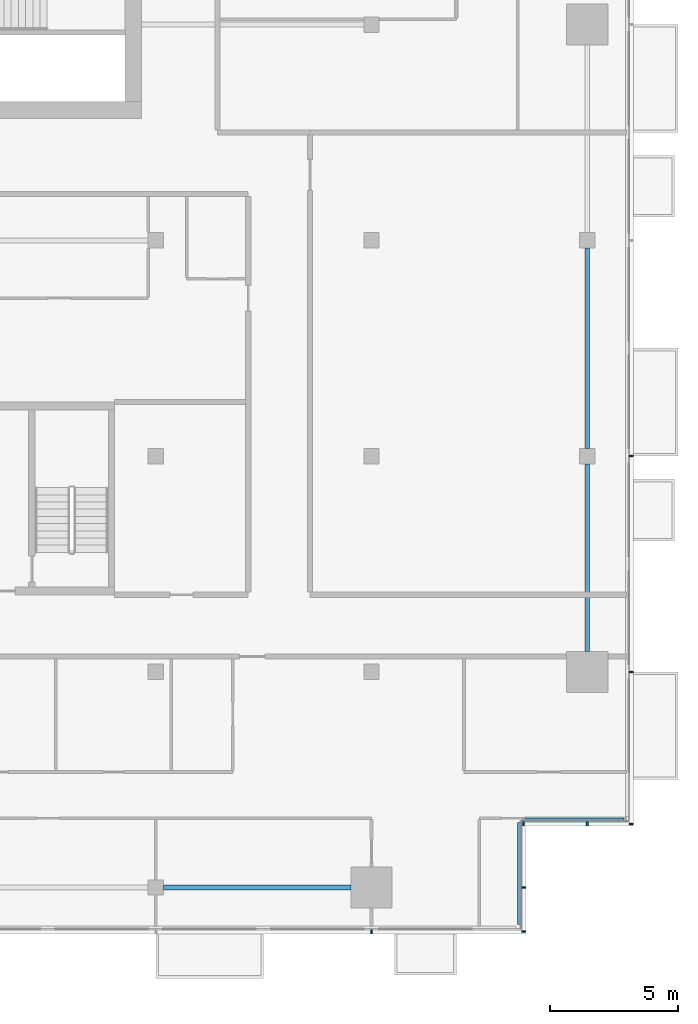
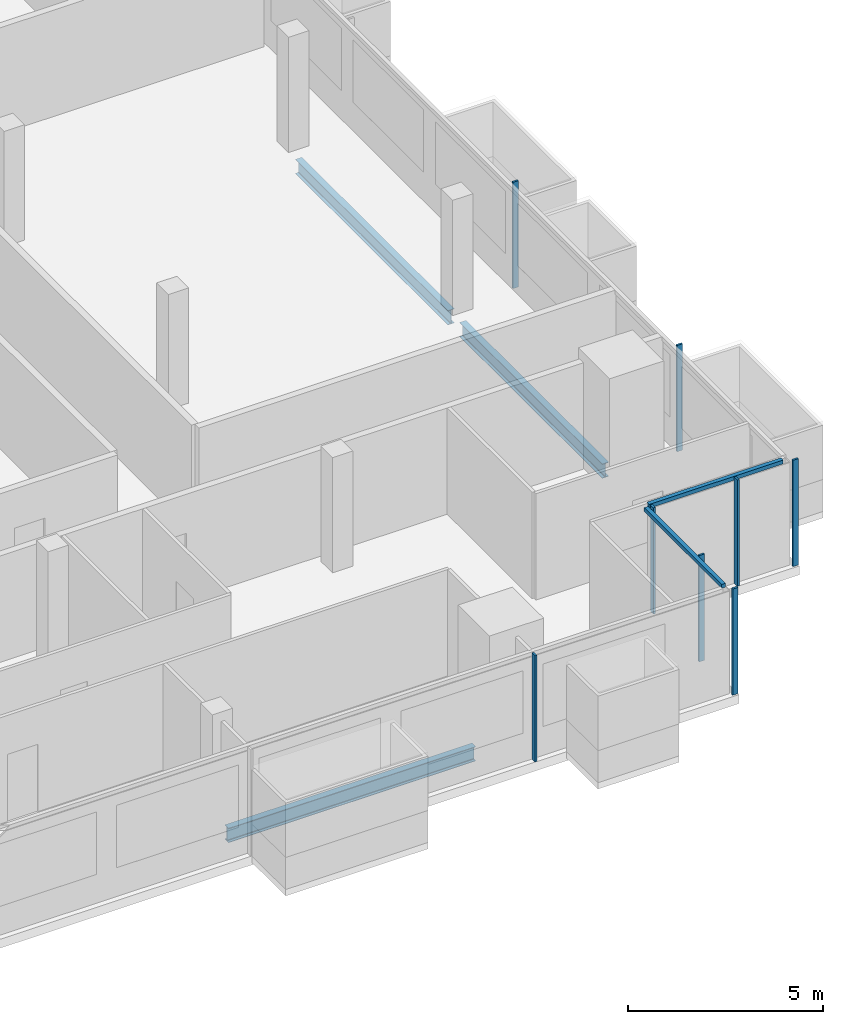
# One storey, part 11 of 27: 10 members, 3 beams, 4 elements without a shape of their own.
"""IFC4 building model written with IfcOpenShell, lengths in metres."""

import ifcopenshell
import ifcopenshell.guid

model = None  # the IFC model being written
_history = None  # IfcOwnerHistory: only IFC2X3 demands one
_inside = {}  # id of a spatial element -> (the spatial element, [elements in it])
_under = {}  # id of a project, library or spatial element -> (it, [spatial elements below it])
_declared = {}  # id of a project -> (the project, [libraries it declares])
_typed = {}  # id of a type object -> (the type object, [elements of that type])
_made_of = {}  # id of a material, layer set ... -> (it, [elements and type objects made of it])


def new_model(schema):
    """Start an empty IFC model of exactly this schema.

    Asked for "IFC4X3", IfcOpenShell would pick the latest addendum, in which some entities
    have other attributes; the version numbers below select the first issue.
    IFC2X3 requires an IfcOwnerHistory on every rooted entity: one is made here for all.
    """
    global model, _history
    if schema == "IFC4X3":
        model = ifcopenshell.file(schema_version=(4, 3, 0, 0))
    else:
        model = ifcopenshell.file(schema=schema)
    _inside.clear()
    _under.clear()
    _declared.clear()
    _typed.clear()
    _made_of.clear()
    _history = None
    if model.schema == "IFC2X3":
        org = make("IfcOrganization", Name="unknown")
        user = make(
            "IfcPersonAndOrganization",
            ThePerson=make("IfcPerson", FamilyName="unknown"),
            TheOrganization=org,
        )
        app = make(
            "IfcApplication",
            ApplicationDeveloper=org,
            Version="unknown",
            ApplicationFullName="unknown",
            ApplicationIdentifier="unknown",
        )
        _history = make(
            "IfcOwnerHistory",
            OwningUser=user,
            OwningApplication=app,
            ChangeAction="ADDED",
            CreationDate=0,
        )
    return model


def make(cls, **values):
    """One entity of the class cls with the attributes given. An attribute that is None is left unset."""
    return model.create_entity(
        cls, **{name: value for name, value in values.items() if value is not None}
    )


def rooted(cls, **values):
    """An entity with a GlobalId (a new one), such as an element, a storey or a relation."""
    return make(cls, GlobalId=ifcopenshell.guid.new(), OwnerHistory=_history, **values)


def si_unit(unit_type, name, prefix=None):
    """IfcSIUnit, for example si_unit("LENGTHUNIT", "METRE", prefix="MILLI")."""
    return make("IfcSIUnit", UnitType=unit_type, Prefix=prefix, Name=name)


def assignment(units):
    """IfcUnitAssignment: the units of a project."""
    return None if units is None else make("IfcUnitAssignment", Units=units)


def point(xyz):
    """IfcCartesianPoint."""
    return None if xyz is None else make("IfcCartesianPoint", Coordinates=xyz)


def direction(xyz):
    """IfcDirection."""
    return None if xyz is None else make("IfcDirection", DirectionRatios=xyz)


def frame(location, z_axis=None, x_axis=None):
    """IfcAxis2Placement3D, a coordinate frame: its origin and axes. An axis left out is left unset."""
    return make(
        "IfcAxis2Placement3D",
        Location=point(location),
        Axis=direction(z_axis),
        RefDirection=direction(x_axis),
    )


def frame_2d(location, x_axis=None):
    """IfcAxis2Placement2D, a coordinate frame in the plane: its origin and x axis."""
    return make(
        "IfcAxis2Placement2D", Location=point(location), RefDirection=direction(x_axis)
    )


def origin():
    """The frame at (0, 0, 0) with its axes left unset."""
    return frame((0.0, 0.0, 0.0))


def origin_2d():
    """The frame at (0, 0) in the plane with its x axis left unset."""
    return frame_2d((0.0, 0.0))


def place(relative_to, where):
    """IfcLocalPlacement: puts the frame where relative to a parent placement (None: the world)."""
    return make(
        "IfcLocalPlacement", PlacementRelTo=relative_to, RelativePlacement=where
    )


def context(
    kind, dimensions, precision=None, world=None, true_north=None, identifier=None
):
    """IfcGeometricRepresentationContext, for example the 3D "Model" context."""
    return make(
        "IfcGeometricRepresentationContext",
        ContextIdentifier=identifier,
        ContextType=kind,
        CoordinateSpaceDimension=dimensions,
        Precision=precision,
        WorldCoordinateSystem=world,
        TrueNorth=true_north,
    )


def subcontext(parent, identifier, kind, view, scale=None):
    """IfcGeometricRepresentationSubContext, for example "Body" below "Model"."""
    return make(
        "IfcGeometricRepresentationSubContext",
        ContextIdentifier=identifier,
        ContextType=kind,
        ParentContext=parent,
        TargetScale=scale,
        TargetView=view,
    )


def project(units=None, contexts=None):
    """IfcProject with its units and contexts."""
    return rooted(
        "IfcProject",
        Name="project",
        RepresentationContexts=contexts,
        UnitsInContext=assignment(units),
    )


def spatial(cls, under=None, at=None, **own):
    """A site, building, storey or space (cls), placed at a placement, below another one or the project."""
    s = rooted(cls, ObjectPlacement=at, **own)
    if under is not None:
        _under.setdefault(under.id(), (under, []))[1].append(s)
    return s


def profile(cls, at=None, kind="AREA", **sizes):
    """A parametric profile (cls). Its sizes go by their IFC names, for example OverallWidth=200.0."""
    return make(cls, ProfileType=kind, Position=at, **sizes)


def rectangle(**sizes):
    """IfcRectangleProfileDef."""
    return profile("IfcRectangleProfileDef", **sizes)


def i_section(**sizes):
    """IfcIShapeProfileDef."""
    return profile("IfcIShapeProfileDef", **sizes)


def extrude(swept, where, along, depth):
    """IfcExtrudedAreaSolid: the profile swept, set in the frame where, extruded along a direction by depth."""
    return make(
        "IfcExtrudedAreaSolid",
        SweptArea=swept,
        Position=where,
        ExtrudedDirection=direction(along),
        Depth=depth,
    )


def shape(context_of_items, identifier, shape_type, items):
    """IfcShapeRepresentation: the items that make up one representation, for example the "Body"."""
    return make(
        "IfcShapeRepresentation",
        ContextOfItems=context_of_items,
        RepresentationIdentifier=identifier,
        RepresentationType=shape_type,
        Items=items,
    )


def material(Name=None, Category=None):
    """IfcMaterial."""
    return make("IfcMaterial", Name=Name, Category=Category)


def material_profile(
    of_material, cross_section, Name=None, Category=None, Priority=None
):
    """IfcMaterialProfile: a cross section and its material."""
    return make(
        "IfcMaterialProfile",
        Name=Name,
        Material=of_material,
        Profile=cross_section,
        Priority=Priority,
        Category=Category,
    )


def profile_set(profiles, Name=None, composite=None):
    """IfcMaterialProfileSet."""
    return make(
        "IfcMaterialProfileSet",
        Name=Name,
        MaterialProfiles=profiles,
        CompositeProfile=composite,
    )


def made_of(thing, what):
    """Note that an element or type object is made of a material, layer set ...; save() writes the relation."""
    if what is not None:
        _made_of.setdefault(what.id(), (what, []))[1].append(thing)
    return thing


def type_object(cls, material=None, **own):
    """A type object (cls), such as IfcWallType, which elements share."""
    return made_of(rooted(cls, **own), material)


def element(
    cls,
    number,
    at=None,
    inside=None,
    cuts=None,
    type_object=None,
    material=None,
    context=None,
    identifier="Body",
    shape_type=None,
    held_by="IfcProductDefinitionShape",
    body=None,
    shapes=None,
    **own,
):
    """One element of the class cls, such as IfcWall. Its Tag is "e" and its number.

    at: its placement. inside: the storey or other place that contains it. cuts: it is an
    opening in that element (IfcRelVoidsElement). A single representation is given by context,
    identifier, shape_type and body (its items); several are given by shapes. held_by: the class
    of the entity that holds the representations. save() writes the other relations.
    """
    e = rooted(cls, Tag="e%d" % number, ObjectPlacement=at, **own)
    if body is not None:
        shapes = [shape(context, identifier, shape_type, body)]
    if shapes is not None:
        e.Representation = make(held_by, Representations=shapes)
    if inside is not None:
        _inside.setdefault(inside.id(), (inside, []))[1].append(e)
    if cuts is not None:
        rooted(
            "IfcRelVoidsElement", RelatingBuildingElement=cuts, RelatedOpeningElement=e
        )
    if type_object is not None:
        _typed.setdefault(type_object.id(), (type_object, []))[1].append(e)
    return made_of(e, material)


def aggregate(whole, parts):
    """IfcRelAggregates: a whole, such as a stair, and the parts it consists of."""
    return rooted("IfcRelAggregates", RelatingObject=whole, RelatedObjects=parts)


def save(model, path):
    """Write the relations noted so far, then the file.

    IfcRelAggregates (storeys below a building ...), IfcRelContainedInSpatialStructure (elements
    in a storey), IfcRelDefinesByType, IfcRelAssociatesMaterial and IfcRelDeclares: one each for
    every whole, place, type object, material and project.
    """
    for whole, parts in _under.values():
        aggregate(whole, parts)
    for where, things in _inside.values():
        rooted(
            "IfcRelContainedInSpatialStructure",
            RelatedElements=things,
            RelatingStructure=where,
        )
    for kind, things in _typed.values():
        rooted("IfcRelDefinesByType", RelatedObjects=things, RelatingType=kind)
    for what, things in _made_of.values():
        rooted("IfcRelAssociatesMaterial", RelatedObjects=things, RelatingMaterial=what)
    for by, libraries in _declared.values():
        rooted("IfcRelDeclares", RelatingContext=by, RelatedDefinitions=libraries)
    model.write(path)


model = new_model("IFC4")

# Units and contexts
model_context = context("Model", 3, precision=1e-05, world=origin(), true_north=direction((0.0, 1.0)))
body_context = subcontext(model_context, "Body", "Model", "MODEL_VIEW")
ifc_project = project(units=[si_unit("LENGTHUNIT", "METRE"), si_unit("AREAUNIT", "SQUARE_METRE"), si_unit("VOLUMEUNIT", "CUBIC_METRE"), si_unit("PLANEANGLEUNIT", "RADIAN"), si_unit("MASSUNIT", "GRAM", prefix="KILO")], contexts=[model_context])

# Site, building, storey
site_placement = place(None, origin())
site = spatial("IfcSite", under=ifc_project, at=site_placement, CompositionType="ELEMENT")
building_placement = place(site_placement, origin())
building = spatial("IfcBuilding", under=site, at=building_placement, Name="Saffron Gate Tower", CompositionType="ELEMENT")
storey_placement = place(building_placement, frame((0.0, 0.0, 209.10009765625)))
storey = spatial("IfcBuildingStorey", under=building, at=storey_placement, Name="L50", CompositionType="ELEMENT", Elevation=209.10009765625)

# Beams
ifc_material_1 = material(Name="Structural steel S355", Category="steel")
ifc_material_profile_1 = material_profile(ifc_material_1, i_section(OverallWidth=0.18994140625, OverallDepth=0.449951171875, WebThickness=0.009521484375, FlangeThickness=0.0146484375, FilletRadius=0.02099609375, at=origin_2d()))
ifc_profile_set_1 = profile_set([ifc_material_profile_1], Name="Structural steel S355")
beam_type = type_object("IfcBeamType", Name="B7 IPE 450", PredefinedType="SPANDREL", material=ifc_profile_set_1)
for number, where, z_axis, x_axis, name in (
    (1, (108.89990234375, 31.800048828125, -0.505126953125), (1.0, 0.0, 0.0), (0.0, 1.0, 0.0), "B7 SPANDREL BEAM"),
    (2, (125.39990234375, 41.0, -0.505126953125), (0.0, 1.0, 0.0), (-1.0, 0.0, 0.0), "B7 SPANDREL BEAM"),
):
    element("IfcBeam", number, at=place(storey_placement, frame(where, z_axis=z_axis, x_axis=x_axis)), inside=storey, type_object=beam_type, Name=name, PredefinedType="SPANDREL", context=body_context, shape_type="SweptSolid", body=[
        extrude(i_section(OverallWidth=0.18994140625, OverallDepth=0.449951171875, WebThickness=0.009521484375, FlangeThickness=0.0146484375, FilletRadius=0.02099609375, at=origin_2d()), origin(), (0.0, 0.0, 1.0), 7.300048828125),
    ])
beam_placement = place(storey_placement, frame((125.39990234375, 48.89990234375, -0.505126953125), z_axis=(0.0, 1.0, 0.0), x_axis=(-1.0, 0.0, 0.0)))
element("IfcBeam", 3, at=beam_placement, inside=storey, type_object=beam_type, Name="B7 SPANDREL BEAM", PredefinedType="SPANDREL", context=body_context, shape_type="SweptSolid", body=[
    extrude(i_section(OverallWidth=0.18994140625, OverallDepth=0.449951171875, WebThickness=0.009521484375, FlangeThickness=0.0146484375, FilletRadius=0.02099609375, at=origin_2d()), origin(), (0.0, 0.0, 1.0), 7.800048828125),
])

# Curtain wall, member
ifc_material_2 = material(Name="Aluminium, bronze anodised", Category="aluminium")
curtain_wall_type_1 = type_object("IfcCurtainWallType", Name="CWS1 curtain wall front facade", PredefinedType="NOTDEFINED", material=ifc_material_2)
curtain_wall_1_placement = place(storey_placement, origin())
curtain_wall_1 = element("IfcCurtainWall", 4, at=curtain_wall_1_placement, inside=storey, type_object=curtain_wall_type_1, Name="CWS1 run 1", PredefinedType="NOTDEFINED")
ifc_material_profile_2 = material_profile(ifc_material_2, rectangle(XDim=0.159912109375, YDim=0.06005859375, at=origin_2d()))
ifc_profile_set_2 = profile_set([ifc_material_profile_2], Name="Aluminium, bronze anodised")
member_type_1 = type_object("IfcMemberType", Name="CWS1 mullion 60x160", PredefinedType="MULLION", material=ifc_profile_set_2)
member_1_placement = place(storey_placement, frame((117.0, 30.080078125, 0.0), z_axis=(0.0, 0.0, 1.0), x_axis=(0.0, 1.0, 0.0)))
member_1 = element("IfcMember", 5, at=member_1_placement, type_object=member_type_1, Name="CWS1 mullion 9", PredefinedType="MULLION", context=body_context, shape_type="SweptSolid", body=[
    extrude(rectangle(XDim=0.159912109375, YDim=0.06005859375, at=origin_2d()), origin(), (0.0, 0.0, 1.0), 3.31982421875),
])
aggregate(curtain_wall_1, [member_1])

# Curtain wall, members
curtain_wall_type_2 = type_object("IfcCurtainWallType", Name="CWS2 curtain wall side facades", PredefinedType="NOTDEFINED", material=ifc_material_2)
curtain_wall_2_placement = place(storey_placement, origin())
curtain_wall_2 = element("IfcCurtainWall", 6, at=curtain_wall_2_placement, inside=storey, type_object=curtain_wall_type_2, Name="CWS2 run 4", PredefinedType="NOTDEFINED")
ifc_material_profile_3 = material_profile(ifc_material_2, rectangle(XDim=0.159912109375, YDim=0.06005859375, at=origin_2d()))
ifc_profile_set_3 = profile_set([ifc_material_profile_3], Name="Aluminium, bronze anodised")
member_type_2 = type_object("IfcMemberType", Name="CWS2 mullion 60x160", PredefinedType="MULLION", material=ifc_profile_set_3)
member_2_placement = place(storey_placement, frame((127.1201171875, 34.280029296875, 0.0), z_axis=(0.0, 0.0, 1.0), x_axis=(-1.0, 0.0, 0.0)))
member_2 = element("IfcMember", 7, at=member_2_placement, type_object=member_type_2, Name="CWS2 mullion 1", PredefinedType="MULLION", context=body_context, shape_type="SweptSolid", body=[
    extrude(rectangle(XDim=0.159912109375, YDim=0.06005859375, at=origin_2d()), origin(), (0.0, 0.0, 1.0), 3.31982421875),
])
member_3_placement = place(storey_placement, frame((127.1201171875, 40.199951171875, 0.0), z_axis=(0.0, 0.0, 1.0), x_axis=(-1.0, 0.0, 0.0)))
member_3 = element("IfcMember", 8, at=member_3_placement, type_object=member_type_2, Name="CWS2 mullion 2", PredefinedType="MULLION", context=body_context, shape_type="SweptSolid", body=[
    extrude(rectangle(XDim=0.159912109375, YDim=0.06005859375, at=origin_2d()), origin(), (0.0, 0.0, 1.0), 3.31982421875),
])
member_4_placement = place(storey_placement, frame((127.1201171875, 48.60009765625, 0.0), z_axis=(0.0, 0.0, 1.0), x_axis=(-1.0, 0.0, 0.0)))
member_4 = element("IfcMember", 9, at=member_4_placement, type_object=member_type_2, Name="CWS2 mullion 3", PredefinedType="MULLION", context=body_context, shape_type="SweptSolid", body=[
    extrude(rectangle(XDim=0.159912109375, YDim=0.06005859375, at=origin_2d()), origin(), (0.0, 0.0, 1.0), 3.31982421875),
])
aggregate(curtain_wall_2, [member_2, member_3, member_4])

# Curtain wall, member
curtain_wall_type_3 = type_object("IfcCurtainWallType", Name="CWS4 curtain wall corner returns", PredefinedType="NOTDEFINED", material=ifc_material_2)
curtain_wall_3_placement = place(storey_placement, origin())
curtain_wall_3 = element("IfcCurtainWall", 10, at=curtain_wall_3_placement, inside=storey, type_object=curtain_wall_type_3, Name="CWS4 run 2", PredefinedType="NOTDEFINED")
ifc_material_profile_4 = material_profile(ifc_material_2, rectangle(XDim=0.1201171875, YDim=0.1201171875, at=origin_2d()))
ifc_profile_set_4 = profile_set([ifc_material_profile_4], Name="Aluminium, bronze anodised")
member_type_3 = type_object("IfcMemberType", Name="CWS4 head transom", PredefinedType="USERDEFINED", material=ifc_profile_set_4)
member_5_placement = place(storey_placement, frame((122.751953125, 30.367919921875, 3.260009765625), z_axis=(0.0, 1.0, 0.0), x_axis=(-1.0, 0.0, 0.0)))
member_5 = element("IfcMember", 11, at=member_5_placement, type_object=member_type_3, Name="CWS4 head transom", ObjectType="TRANSOM", PredefinedType="USERDEFINED", context=body_context, shape_type="SweptSolid", body=[
    extrude(rectangle(XDim=0.1201171875, YDim=0.1201171875, at=origin_2d()), origin(), (0.0, 0.0, 1.0), 3.9599609375),
])

curtain_wall_4_placement = place(storey_placement, origin())
curtain_wall_4 = element("IfcCurtainWall", 12, at=curtain_wall_4_placement, inside=storey, type_object=curtain_wall_type_3, Name="CWS4 run 3", PredefinedType="NOTDEFINED")
member_6_placement = place(storey_placement, frame((122.8720703125, 34.447998046875, 3.260009765625), z_axis=(1.0, 0.0, 0.0), x_axis=(0.0, 1.0, 0.0)))
member_6 = element("IfcMember", 13, at=member_6_placement, type_object=member_type_3, Name="CWS4 head transom", ObjectType="TRANSOM", PredefinedType="USERDEFINED", context=body_context, shape_type="SweptSolid", body=[
    extrude(rectangle(XDim=0.1201171875, YDim=0.1201171875, at=origin_2d()), origin(), (0.0, 0.0, 1.0), 3.9599609375),
])

# Member
ifc_material_profile_5 = material_profile(ifc_material_2, rectangle(XDim=0.159912109375, YDim=0.06005859375, at=origin_2d()))
ifc_profile_set_5 = profile_set([ifc_material_profile_5], Name="Aluminium, bronze anodised")
member_type_4 = type_object("IfcMemberType", Name="CWS4 mullion 60x160", PredefinedType="MULLION", material=ifc_profile_set_5)
member_7_placement = place(storey_placement, frame((122.919921875, 30.080078125, 0.0), z_axis=(0.0, 0.0, 1.0), x_axis=(-1.0, 0.0, 0.0)))
member_7 = element("IfcMember", 14, at=member_7_placement, type_object=member_type_4, Name="CWS4 mullion 1", PredefinedType="MULLION", context=body_context, shape_type="SweptSolid", body=[
    extrude(rectangle(XDim=0.159912109375, YDim=0.06005859375, at=origin_2d()), origin(), (0.0, 0.0, 1.0), 3.31982421875),
])

member_8_placement = place(storey_placement, frame((122.919921875, 31.800048828125, 0.0), z_axis=(0.0, 0.0, 1.0), x_axis=(-1.0, 0.0, 0.0)))
member_8 = element("IfcMember", 15, at=member_8_placement, type_object=member_type_4, Name="CWS4 mullion 2", PredefinedType="MULLION", context=body_context, shape_type="SweptSolid", body=[
    extrude(rectangle(XDim=0.159912109375, YDim=0.06005859375, at=origin_2d()), origin(), (0.0, 0.0, 1.0), 3.31982421875),
])

aggregate(curtain_wall_3, [member_7, member_8, member_5])

member_9_placement = place(storey_placement, frame((122.919921875, 34.280029296875, 0.0), z_axis=(0.0, 0.0, 1.0), x_axis=(0.0, 1.0, 0.0)))
member_9 = element("IfcMember", 16, at=member_9_placement, type_object=member_type_4, Name="CWS4 mullion 1", PredefinedType="MULLION", context=body_context, shape_type="SweptSolid", body=[
    extrude(rectangle(XDim=0.159912109375, YDim=0.06005859375, at=origin_2d()), origin(), (0.0, 0.0, 1.0), 3.31982421875),
])

member_10_placement = place(storey_placement, frame((125.39990234375, 34.280029296875, 0.0), z_axis=(0.0, 0.0, 1.0), x_axis=(0.0, 1.0, 0.0)))
member_10 = element("IfcMember", 17, at=member_10_placement, type_object=member_type_4, Name="CWS4 mullion 2", PredefinedType="MULLION", context=body_context, shape_type="SweptSolid", body=[
    extrude(rectangle(XDim=0.159912109375, YDim=0.06005859375, at=origin_2d()), origin(), (0.0, 0.0, 1.0), 3.31982421875),
])

aggregate(curtain_wall_4, [member_9, member_10, member_6])

save(model, "model.ifc")
